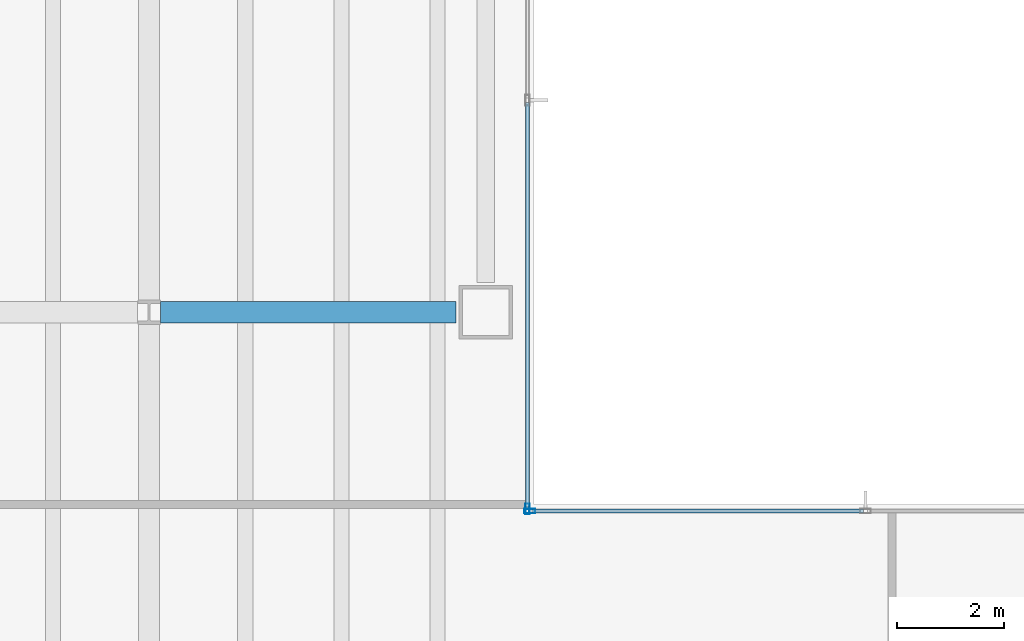
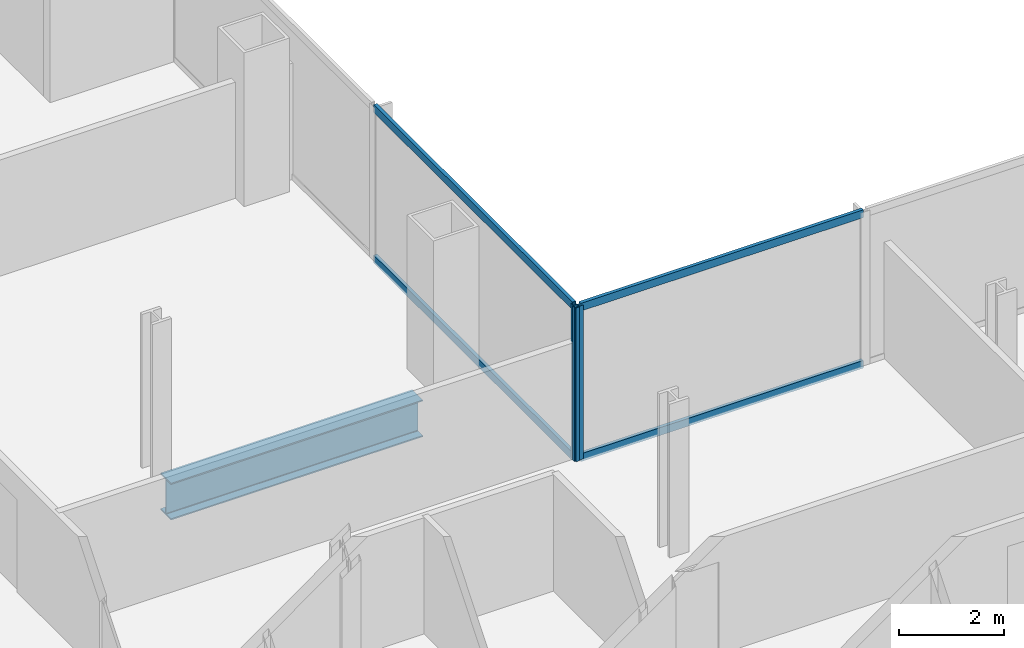
# One storey, part 6 of 25: 6 members, 1 beam, 2 elements without a shape of their own.
"""IFC4 building model written with IfcOpenShell, lengths in metres."""

from ifc_helpers import new_model, si_unit, direction, frame, origin, origin_2d, place, context, subcontext, project, spatial, hollow_rectangle, i_section, extrude, material, material_profile, profile_set, type_object, element, aggregate, save


model = new_model("IFC4")

# Units and contexts
model_context = context("Model", 3, precision=1e-05, world=origin(), true_north=direction((0.0, 1.0)))
body_context = subcontext(model_context, "Body", "Model", "MODEL_VIEW")
ifc_project = project(units=[si_unit("LENGTHUNIT", "METRE"), si_unit("AREAUNIT", "SQUARE_METRE"), si_unit("VOLUMEUNIT", "CUBIC_METRE"), si_unit("PLANEANGLEUNIT", "RADIAN"), si_unit("MASSUNIT", "GRAM", prefix="KILO")], contexts=[model_context])

# Site, building, storey
site_placement = place(None, origin())
site = spatial("IfcSite", under=ifc_project, at=site_placement, CompositionType="ELEMENT")
building_placement = place(site_placement, origin())
building = spatial("IfcBuilding", under=site, at=building_placement, Name="Cobrela Telecom Tower", CompositionType="ELEMENT")
storey_placement = place(building_placement, frame((0.0, 0.0, 46.550048828125)))
storey = spatial("IfcBuildingStorey", under=building, at=storey_placement, Name="L11", CompositionType="ELEMENT", Elevation=46.550048828125)

# Beam
ifc_material_1 = material(Name="Steel ASTM A992 Grade 50", Category="steel")
ifc_material_profile_1 = material_profile(ifc_material_1, i_section(OverallWidth=0.39892578125, OverallDepth=0.85595703125, WebThickness=0.018310546875, FlangeThickness=0.029296875, FilletRadius=0.02001953125, at=origin_2d()), Name="W33X201")
ifc_profile_set_1 = profile_set([ifc_material_profile_1], Name="Steel ASTM A992 Grade 50")
beam_type = type_object("IfcBeamType", Name="BM-GIRD-03", PredefinedType="USERDEFINED", material=ifc_profile_set_1)
beam_placement = place(storey_placement, frame((21.81591796875, 28.800048828125, -0.7080078125), z_axis=(1.0, 0.0, 0.0), x_axis=(0.0, 1.0, 0.0)))
element("IfcBeam", 1, at=beam_placement, inside=storey, type_object=beam_type, Name="L11 Primary Girder X24", ObjectType="GIRDER", PredefinedType="USERDEFINED", context=body_context, shape_type="SweptSolid", body=[
    extrude(i_section(OverallWidth=0.39892578125, OverallDepth=0.85595703125, WebThickness=0.018310546875, FlangeThickness=0.029296875, FilletRadius=0.02001953125, at=origin_2d()), origin(), (0.0, 0.0, 1.0), 5.529052734375),
])

# Curtain wall, member
ifc_material_2 = material(Name="Anodized Bronze Aluminium 6063-T6", Category="aluminium")
curtain_wall_type = type_object("IfcCurtainWallType", Name="CW-SYS-DATA", PredefinedType="USERDEFINED", material=ifc_material_2)
curtain_wall_1_placement = place(storey_placement, origin())
curtain_wall_1 = element("IfcCurtainWall", 2, at=curtain_wall_1_placement, inside=storey, type_object=curtain_wall_type, Name="L11 Unitised Bronze Curtain Wall 10", ObjectType="UNITISED CURTAIN WALL", PredefinedType="USERDEFINED")
ifc_material_profile_2 = material_profile(ifc_material_2, hollow_rectangle(XDim=0.080078125, YDim=0.199951171875, WallThickness=0.00390625, at=origin_2d()), Name="ALU 80x200x4")
ifc_profile_set_2 = profile_set([ifc_material_profile_2], Name="Anodized Bronze Aluminium 6063-T6")
member_type_1 = type_object("IfcMemberType", Name="CW-SYS-DATA-MUL", PredefinedType="MULLION", material=ifc_profile_set_2)
member_1_placement = place(storey_placement, frame((28.679931640625, 25.1201171875, 0.0), z_axis=(0.0, 0.0, 1.0), x_axis=(1.0, 0.0, 0.0)))
member_1 = element("IfcMember", 3, at=member_1_placement, type_object=member_type_1, Name="CW-DATA mullion 3", PredefinedType="MULLION", context=body_context, shape_type="SweptSolid", body=[
    extrude(hollow_rectangle(XDim=0.080078125, YDim=0.199951171875, WallThickness=0.00390625, at=origin_2d()), origin(), (0.0, 0.0, 1.0), 3.570068359375),
])

curtain_wall_2_placement = place(storey_placement, origin())
curtain_wall_2 = element("IfcCurtainWall", 4, at=curtain_wall_2_placement, inside=storey, type_object=curtain_wall_type, Name="L11 Unitised Bronze Curtain Wall 11", ObjectType="UNITISED CURTAIN WALL", PredefinedType="USERDEFINED")
member_2_placement = place(storey_placement, frame((28.719970703125, 25.080078125, 0.0), z_axis=(0.0, 0.0, 1.0), x_axis=(0.0, 1.0, 0.0)))
member_2 = element("IfcMember", 5, at=member_2_placement, type_object=member_type_1, Name="CW-DATA mullion 1", PredefinedType="MULLION", context=body_context, shape_type="SweptSolid", body=[
    extrude(hollow_rectangle(XDim=0.080078125, YDim=0.199951171875, WallThickness=0.00390625, at=origin_2d()), origin(), (0.0, 0.0, 1.0), 3.570068359375),
])

# Member
ifc_material_profile_3 = material_profile(ifc_material_2, hollow_rectangle(XDim=0.074951171875, YDim=0.179931640625, WallThickness=0.00390625, at=origin_2d()), Name="ALU 75x180x4")
ifc_profile_set_3 = profile_set([ifc_material_profile_3], Name="Anodized Bronze Aluminium 6063-T6")
member_type_2 = type_object("IfcMemberType", Name="CW-SYS-DATA-TRN", PredefinedType="USERDEFINED", material=ifc_profile_set_3)
member_3_placement = place(storey_placement, frame((28.679931640625, 32.72509765625, 0.037353515625), z_axis=(0.0, -1.0, 0.0), x_axis=(1.0, 0.0, 0.0)))
member_3 = element("IfcMember", 6, at=member_3_placement, type_object=member_type_2, Name="CW-DATA transom 2.1", ObjectType="TRANSOM", PredefinedType="USERDEFINED", context=body_context, shape_type="SweptSolid", body=[
    extrude(hollow_rectangle(XDim=0.074951171875, YDim=0.179931640625, WallThickness=0.00390625, at=origin_2d()), origin(), (0.0, 0.0, 1.0), 7.565185546875),
])

member_4_placement = place(storey_placement, frame((28.679931640625, 32.72509765625, 3.532470703125), z_axis=(0.0, -1.0, 0.0), x_axis=(1.0, 0.0, 0.0)))
member_4 = element("IfcMember", 7, at=member_4_placement, type_object=member_type_2, Name="CW-DATA transom 2.2", ObjectType="TRANSOM", PredefinedType="USERDEFINED", context=body_context, shape_type="SweptSolid", body=[
    extrude(hollow_rectangle(XDim=0.074951171875, YDim=0.179931640625, WallThickness=0.00390625, at=origin_2d()), origin(), (0.0, 0.0, 1.0), 7.565185546875),
])

aggregate(curtain_wall_1, [member_1, member_3, member_4])

member_5_placement = place(storey_placement, frame((28.760009765625, 25.080078125, 0.037353515625), z_axis=(1.0, 0.0, 0.0), x_axis=(0.0, 1.0, 0.0)))
member_5 = element("IfcMember", 8, at=member_5_placement, type_object=member_type_2, Name="CW-DATA transom 1.1", ObjectType="TRANSOM", PredefinedType="USERDEFINED", context=body_context, shape_type="SweptSolid", body=[
    extrude(hollow_rectangle(XDim=0.074951171875, YDim=0.179931640625, WallThickness=0.00390625, at=origin_2d()), origin(), (0.0, 0.0, 1.0), 6.203369140625),
])

member_6_placement = place(storey_placement, frame((28.760009765625, 25.080078125, 3.532470703125), z_axis=(1.0, 0.0, 0.0), x_axis=(0.0, 1.0, 0.0)))
member_6 = element("IfcMember", 9, at=member_6_placement, type_object=member_type_2, Name="CW-DATA transom 1.2", ObjectType="TRANSOM", PredefinedType="USERDEFINED", context=body_context, shape_type="SweptSolid", body=[
    extrude(hollow_rectangle(XDim=0.074951171875, YDim=0.179931640625, WallThickness=0.00390625, at=origin_2d()), origin(), (0.0, 0.0, 1.0), 6.203369140625),
])

aggregate(curtain_wall_2, [member_2, member_5, member_6])

save(model, "model.ifc")
